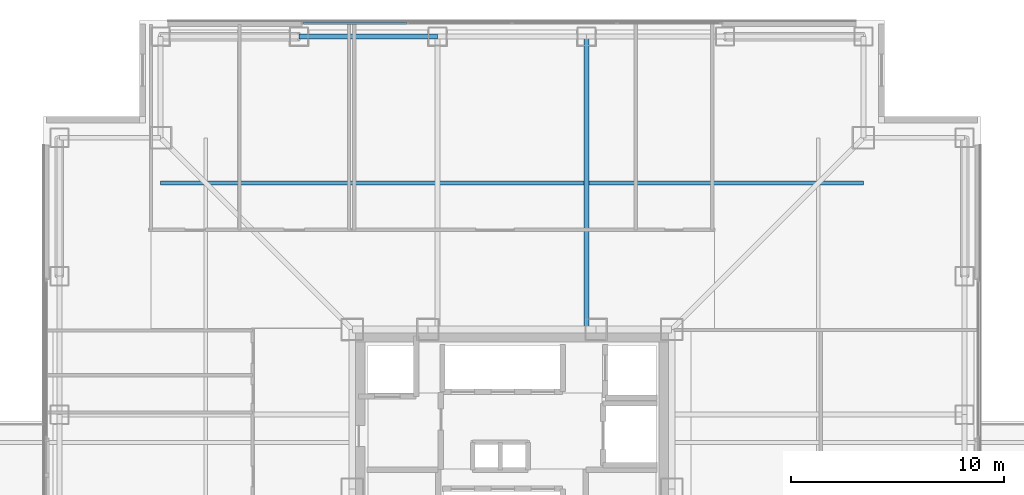
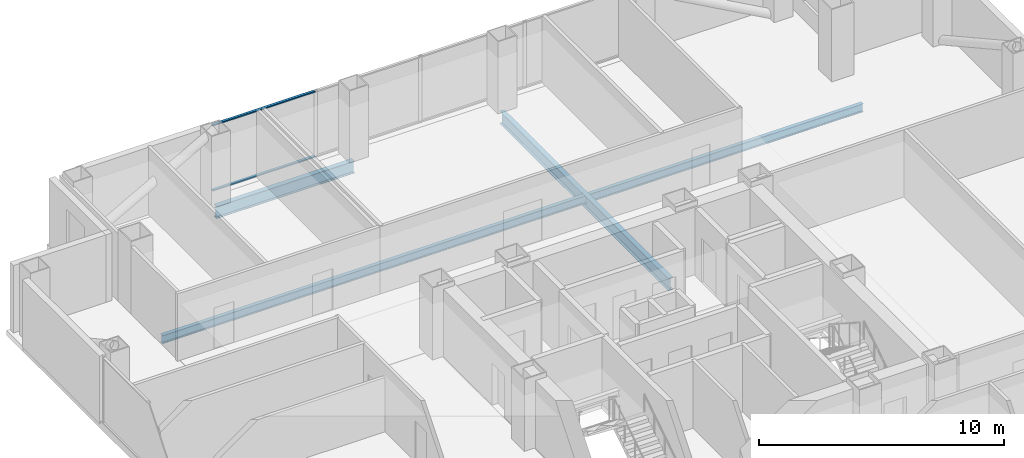
# One storey, part 9 of 16: 3 beams, 2 members, 1 element without a shape of its own.
"""IFC4 building model written with IfcOpenShell, lengths in metres."""

from ifc_helpers import new_model, si_unit, direction, frame, origin, origin_2d, place, context, subcontext, project, spatial, rectangle, i_section, extrude, material, layer, layer_set, material_profile, profile_set, type_object, element, aggregate, save


model = new_model("IFC4")

# Units and contexts
model_context = context("Model", 3, precision=1e-05, world=origin(), true_north=direction((0.0, 1.0)))
body_context = subcontext(model_context, "Body", "Model", "MODEL_VIEW")
ifc_project = project(units=[si_unit("LENGTHUNIT", "METRE"), si_unit("AREAUNIT", "SQUARE_METRE"), si_unit("VOLUMEUNIT", "CUBIC_METRE"), si_unit("PLANEANGLEUNIT", "RADIAN"), si_unit("MASSUNIT", "GRAM", prefix="KILO")], contexts=[model_context])

# Site, building, storey
site_placement = place(None, origin())
site = spatial("IfcSite", under=ifc_project, at=site_placement, CompositionType="ELEMENT")
building_placement = place(site_placement, origin())
building = spatial("IfcBuilding", under=site, at=building_placement, Name="Trevonay Congress Spire", CompositionType="ELEMENT")
storey_placement = place(building_placement, frame((0.0, 0.0, 144.39990234375)))
storey = spatial("IfcBuildingStorey", under=building, at=storey_placement, Name="L37", CompositionType="ELEMENT", Elevation=144.39990234375)

# Beams
ifc_material_1 = material(Name="Steel ASTM A572 Grade 50", Category="steel")
ifc_material_profile_1 = material_profile(ifc_material_1, i_section(OverallWidth=0.22998046875, OverallDepth=0.616943359375, WebThickness=0.01318359375, FlangeThickness=0.022216796875, FilletRadius=0.01611328125, at=origin_2d()), Name="W610x140")
ifc_profile_set_1 = profile_set([ifc_material_profile_1], Name="Steel ASTM A572 Grade 50")
beam_type_1 = type_object("IfcBeamType", Name="BM-GIRD-W610X140", PredefinedType="BEAM", material=ifc_profile_set_1)
beam_1_placement = place(storey_placement, frame((3.5, 7.5, -0.54833984375), z_axis=(0.0, 1.0, 0.0), x_axis=(-1.0, 0.0, 0.0)))
element("IfcBeam", 1, at=beam_1_placement, inside=storey, type_object=beam_type_1, Name="L37 structural beam BM-L37-GN-P", PredefinedType="BEAM", context=body_context, shape_type="SweptSolid", body=[
    extrude(i_section(OverallWidth=0.22998046875, OverallDepth=0.616943359375, WebThickness=0.01318359375, FlangeThickness=0.022216796875, FilletRadius=0.01611328125, at=origin_2d()), origin(), (0.0, 0.0, 1.0), 13.75),
])
ifc_material_profile_2 = material_profile(ifc_material_1, i_section(OverallWidth=0.22802734375, OverallDepth=0.60791015625, WebThickness=0.01123046875, FlangeThickness=0.017333984375, FilletRadius=0.01611328125, at=origin_2d()), Name="W610x113")
ifc_profile_set_2 = profile_set([ifc_material_profile_2], Name="Steel ASTM A572 Grade 50")
beam_type_2 = type_object("IfcBeamType", Name="BM-RING-W610X113", PredefinedType="BEAM", material=ifc_profile_set_2)
beam_2_placement = place(storey_placement, frame((-10.0, 21.25, -0.5439453125), z_axis=(1.0, 0.0, 0.0), x_axis=(0.0, 1.0, 0.0)))
element("IfcBeam", 2, at=beam_2_placement, inside=storey, type_object=beam_type_2, Name="L37 structural beam BM-L37-PN2", PredefinedType="BEAM", context=body_context, shape_type="SweptSolid", body=[
    extrude(i_section(OverallWidth=0.22802734375, OverallDepth=0.60791015625, WebThickness=0.01123046875, FlangeThickness=0.017333984375, FilletRadius=0.01611328125, at=origin_2d()), origin(), (0.0, 0.0, 1.0), 6.5),
])

# Curtain wall, members
ifc_material_2 = material(Name="Pale Anodised Aluminium EN AW-6063-T6", Category="aluminium")
ifc_layer = layer(ifc_material_2, 0.175048828125, Name="Pale Anodised Aluminium EN AW-6063-T6")
ifc_layer_set = layer_set([ifc_layer], Name="Pale Anodised Aluminium EN AW-6063-T6")
curtain_wall_type = type_object("IfcCurtainWallType", Name="CW-SYS03-CONGRESS-PALE-METAL", PredefinedType="NOTDEFINED", material=ifc_layer_set)
curtain_wall_placement = place(storey_placement, origin())
curtain_wall = element("IfcCurtainWall", 3, at=curtain_wall_placement, inside=storey, type_object=curtain_wall_type, Name="L37 N unitised curtain wall", PredefinedType="NOTDEFINED")
ifc_material_profile_3 = material_profile(ifc_material_2, rectangle(XDim=0.1201171875, YDim=0.06005859375, at=origin_2d()), Name="CW-TRANSOM-120-ALUMINIUM")
ifc_profile_set_3 = profile_set([ifc_material_profile_3], Name="Pale Anodised Aluminium EN AW-6063-T6")
member_type = type_object("IfcMemberType", Name="CW-TRANSOM-120-ALUMINIUM", PredefinedType="USERDEFINED", material=ifc_profile_set_3)
member_1_placement = place(storey_placement, frame((-9.7900390625, 21.8798828125, 0.06005859375), z_axis=(1.0, 0.0, 0.0), x_axis=(0.0, 1.0, 0.0)))
member_1 = element("IfcMember", 4, at=member_1_placement, type_object=member_type, Name="CW03 transom 1.1", ObjectType="TRANSOM", PredefinedType="USERDEFINED", context=body_context, shape_type="SweptSolid", body=[
    extrude(rectangle(XDim=0.1201171875, YDim=0.06005859375, at=origin_2d()), origin(), (0.0, 0.0, 1.0), 4.8349609375),
])
member_2_placement = place(storey_placement, frame((-9.7900390625, 21.8798828125, 3.300048828125), z_axis=(1.0, 0.0, 0.0), x_axis=(0.0, 1.0, 0.0)))
member_2 = element("IfcMember", 5, at=member_2_placement, type_object=member_type, Name="CW03 transom 1.2", ObjectType="TRANSOM", PredefinedType="USERDEFINED", context=body_context, shape_type="SweptSolid", body=[
    extrude(rectangle(XDim=0.1201171875, YDim=0.06005859375, at=origin_2d()), origin(), (0.0, 0.0, 1.0), 4.8349609375),
])
aggregate(curtain_wall, [member_1, member_2])

# Beam
ifc_material_profile_4 = material_profile(ifc_material_1, i_section(OverallWidth=0.177978515625, OverallDepth=0.406982421875, WebThickness=0.0078125, FlangeThickness=0.0126953125, FilletRadius=0.012939453125, at=origin_2d()), Name="W410x60")
ifc_profile_set_4 = profile_set([ifc_material_profile_4], Name="Steel ASTM A572 Grade 50")
beam_type_3 = type_object("IfcBeamType", Name="JS-COMP-W410X60", PredefinedType="JOIST", material=ifc_profile_set_4)
beam_3_placement = place(storey_placement, frame((-16.5, 14.375, -0.443359375), z_axis=(1.0, 0.0, 0.0), x_axis=(0.0, 1.0, 0.0)))
element("IfcBeam", 6, at=beam_3_placement, inside=storey, type_object=beam_type_3, Name="L37 structural beam JS-L37-RING-N", PredefinedType="JOIST", context=body_context, shape_type="SweptSolid", body=[
    extrude(i_section(OverallWidth=0.177978515625, OverallDepth=0.406982421875, WebThickness=0.0078125, FlangeThickness=0.0126953125, FilletRadius=0.012939453125, at=origin_2d()), origin(), (0.0, 0.0, 1.0), 33.0),
])

save(model, "model.ifc")
